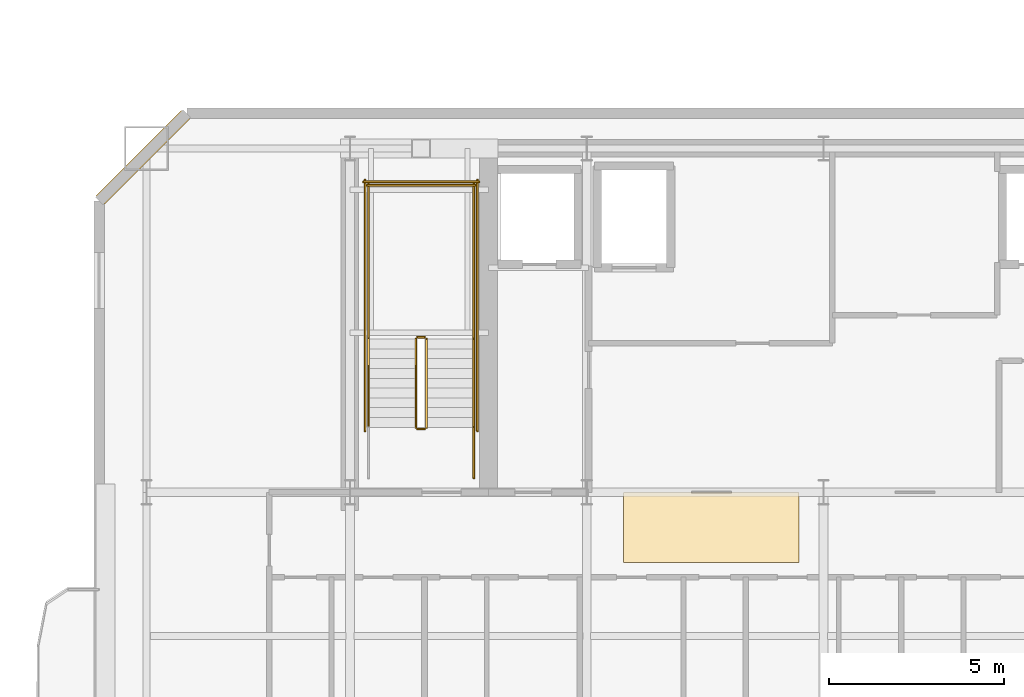
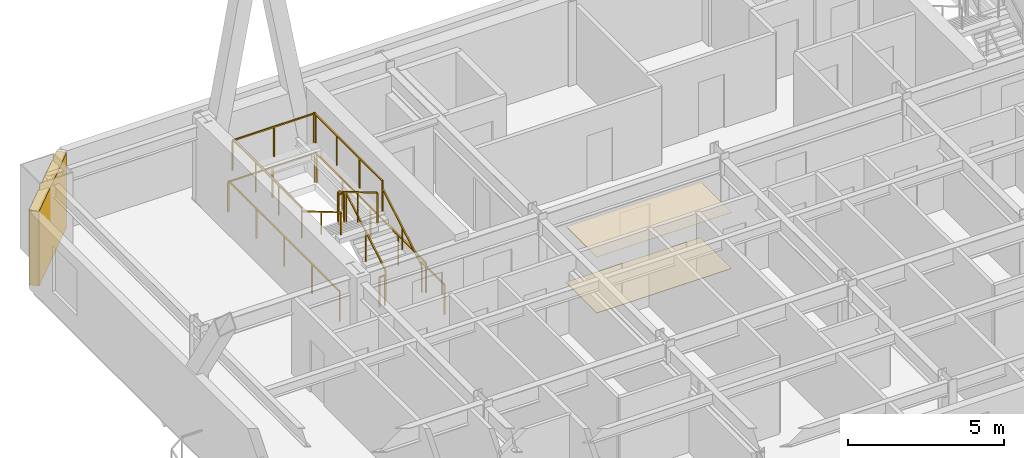
# One storey, part 17 of 20: 13 railings, 2 coverings, 1 shading device.
"""IFC4 building model written with IfcOpenShell, lengths in metres."""

from ifc_helpers import new_model, si_unit, direction, frame, origin, origin_2d, place, context, subcontext, project, spatial, polyline, rectangle, outline, extrude, material, layer, layer_set, type_object, element, save


model = new_model("IFC4")

# Units and contexts
model_context = context("Model", 3, precision=1e-05, world=origin(), true_north=direction((0.0, 1.0)))
body_context = subcontext(model_context, "Body", "Model", "MODEL_VIEW")
ifc_project = project(units=[si_unit("LENGTHUNIT", "METRE"), si_unit("AREAUNIT", "SQUARE_METRE"), si_unit("VOLUMEUNIT", "CUBIC_METRE"), si_unit("PLANEANGLEUNIT", "RADIAN"), si_unit("MASSUNIT", "GRAM", prefix="KILO")], contexts=[model_context])

# Site, building, storey
site_placement = place(None, origin())
site = spatial("IfcSite", under=ifc_project, at=site_placement, CompositionType="ELEMENT")
building_placement = place(site_placement, origin())
building = spatial("IfcBuilding", under=site, at=building_placement, Name="Haevon Station Towers", CompositionType="ELEMENT")
storey_placement = place(building_placement, frame((0.0, 0.0, 175.800048828125)))
storey = spatial("IfcBuildingStorey", under=building, at=storey_placement, Name="L48", CompositionType="ELEMENT", Elevation=175.800048828125)

# Coverings
ifc_material_1 = material(Name="Gypsum acoustic ceiling tile", Category="concrete")
ifc_layer_1 = layer(ifc_material_1, 0.014892578125)
ifc_layer_set_1 = layer_set([ifc_layer_1], Name="Gypsum acoustic ceiling tile")
covering_type_1 = type_object("IfcCoveringType", Name="COV-CEIL15", PredefinedType="CEILING", material=ifc_layer_set_1)
covering_1_placement = place(storey_placement, frame((0.0, 0.0, 2.199951171875)))
element("IfcCovering", 1, at=covering_1_placement, inside=storey, type_object=covering_type_1, Name="L48 Acoustic Corridor Ceiling", PredefinedType="CEILING", context=body_context, shape_type="SweptSolid", body=[
    extrude(outline(polyline([(31.800048828125, 36.199951171875), (36.800048828125, 36.199951171875), (36.800048828125, 38.199951171875), (31.800048828125, 38.199951171875), (31.800048828125, 36.199951171875)])), origin(), (0.0, 0.0, 1.0), 0.014892578125),
])
ifc_material_2 = material(Name="Granite stone paving", Category="masonry")
ifc_layer_2 = layer(ifc_material_2, 0.02001953125)
ifc_layer_set_2 = layer_set([ifc_layer_2], Name="Granite stone paving")
covering_type_2 = type_object("IfcCoveringType", Name="COV-FLR20", PredefinedType="FLOORING", material=ifc_layer_set_2)
covering_2_placement = place(storey_placement, origin())
element("IfcCovering", 2, at=covering_2_placement, inside=storey, type_object=covering_type_2, Name="L48 Corridor Stone Flooring", PredefinedType="FLOORING", context=body_context, shape_type="SweptSolid", body=[
    extrude(outline(polyline([(31.800048828125, 36.199951171875), (36.800048828125, 36.199951171875), (36.800048828125, 38.199951171875), (31.800048828125, 38.199951171875), (31.800048828125, 36.199951171875)])), origin(), (0.0, 0.0, 1.0), 0.02001953125),
])

# Railings
ifc_material_3 = material(Name="Steel S355", Category="steel")
railing_type_1 = type_object("IfcRailingType", Name="GRD-STR1200", PredefinedType="GUARDRAIL", material=ifc_material_3)
railing_1_placement = place(storey_placement, frame((26.179931640625, 40.050048828125, 0.1650390625)))
element("IfcRailing", 3, at=railing_1_placement, inside=storey, type_object=railing_type_1, Name="L48 ST1 Stair Guard 1", PredefinedType="GUARDRAIL", context=body_context, shape_type="SweptSolid", body=[
    extrude(rectangle(XDim=0.048095703125, YDim=0.048095703125, at=origin_2d()), frame((0.0, 0.0, 1.17578125), z_axis=(0.0, 0.861560626758, 0.507654692109), x_axis=(-1.0, 0.0, 0.0)), (0.0, 0.0, 1.0), 2.925048828125),
    extrude(rectangle(XDim=0.0419921875, YDim=0.0419921875, at=origin_2d()), origin(), (0.0, 0.0, 1.0), 1.15185546875),
    extrude(rectangle(XDim=0.0419921875, YDim=0.0419921875, at=origin_2d()), frame((0.0, 1.260009765625, 0.742431640625)), (0.0, 0.0, 1.0), 1.15185546875),
    extrude(rectangle(XDim=0.0419921875, YDim=0.0419921875, at=origin_2d()), frame((0.0, 2.52001953125, 1.48486328125)), (0.0, 0.0, 1.0), 1.15185546875),
])
railing_2_placement = place(storey_placement, frame((26.1298828125, 42.6201171875, 1.64990234375)))
element("IfcRailing", 4, at=railing_2_placement, inside=storey, type_object=railing_type_1, Name="L48 ST1 Stair Guard 2", PredefinedType="GUARDRAIL", context=body_context, shape_type="SweptSolid", body=[
    extrude(rectangle(XDim=0.048095703125, YDim=0.048095703125, at=origin_2d()), frame((0.0, 0.0, 1.17578125), z_axis=(-1.0, 0.0, 0.0), x_axis=(0.0, -1.0, 0.0)), (0.0, 0.0, 1.0), 0.199951171875),
    extrude(rectangle(XDim=0.0419921875, YDim=0.0419921875, at=origin_2d()), origin(), (0.0, 0.0, 1.0), 1.15185546875),
    extrude(rectangle(XDim=0.0419921875, YDim=0.0419921875, at=origin_2d()), frame((-0.199951171875, 0.0, 0.0)), (0.0, 0.0, 1.0), 1.15185546875),
])
for number, where, name in (
    (5, (27.530029296875, 42.570068359375, 1.64990234375), "L48 ST1 Stair Guard 3"),
    (6, (24.530029296875, 42.570068359375, 1.64990234375), "L48 ST1 Stair Guard 4"),
):
    element("IfcRailing", number, at=place(storey_placement, frame(where)), inside=storey, type_object=railing_type_1, Name=name, PredefinedType="GUARDRAIL", context=body_context, shape_type="SweptSolid", body=[
        extrude(rectangle(XDim=0.048095703125, YDim=0.048095703125, at=origin_2d()), frame((0.0, 0.0, 1.17578125), z_axis=(0.0, 1.0, 0.0), x_axis=(-1.0, 0.0, 0.0)), (0.0, 0.0, 1.0), 4.429931640625),
        extrude(rectangle(XDim=0.0419921875, YDim=0.0419921875, at=origin_2d()), origin(), (0.0, 0.0, 1.0), 1.15185546875),
        extrude(rectangle(XDim=0.0419921875, YDim=0.0419921875, at=origin_2d()), frame((0.0, 1.4765625, 0.0)), (0.0, 0.0, 1.0), 1.15185546875),
        extrude(rectangle(XDim=0.0419921875, YDim=0.0419921875, at=origin_2d()), frame((0.0, 2.953369140625, 0.0)), (0.0, 0.0, 1.0), 1.15185546875),
        extrude(rectangle(XDim=0.0419921875, YDim=0.0419921875, at=origin_2d()), frame((0.0, 4.429931640625, 0.0)), (0.0, 0.0, 1.0), 1.15185546875),
    ])
railing_3_placement = place(storey_placement, frame((27.580078125, 46.949951171875, 1.64990234375)))
element("IfcRailing", 7, at=railing_3_placement, inside=storey, type_object=railing_type_1, Name="L48 ST1 Stair Guard 5", PredefinedType="GUARDRAIL", context=body_context, shape_type="SweptSolid", body=[
    extrude(rectangle(XDim=0.048095703125, YDim=0.048095703125, at=origin_2d()), frame((0.0, 0.0, 1.17578125), z_axis=(-1.0, 0.0, 0.0), x_axis=(0.0, -1.0, 0.0)), (0.0, 0.0, 1.0), 3.10009765625),
    extrude(rectangle(XDim=0.0419921875, YDim=0.0419921875, at=origin_2d()), origin(), (0.0, 0.0, 1.0), 1.15185546875),
    extrude(rectangle(XDim=0.0419921875, YDim=0.0419921875, at=origin_2d()), frame((-1.550048828125, 0.0, 0.0)), (0.0, 0.0, 1.0), 1.15185546875),
    extrude(rectangle(XDim=0.0419921875, YDim=0.0419921875, at=origin_2d()), frame((-3.10009765625, 0.0, 0.0)), (0.0, 0.0, 1.0), 1.15185546875),
])
railing_4_placement = place(storey_placement, frame((25.8798828125, 42.570068359375, 1.81494140625)))
element("IfcRailing", 8, at=railing_4_placement, inside=storey, type_object=railing_type_1, Name="L48 ST1 Stair Guard 6", PredefinedType="GUARDRAIL", context=body_context, shape_type="SweptSolid", body=[
    extrude(rectangle(XDim=0.048095703125, YDim=0.048095703125, at=origin_2d()), frame((0.0, 0.0, 1.17578125), z_axis=(0.0, -0.86152411907, 0.507716645641), x_axis=(1.0, 0.0, 0.0)), (0.0, 0.0, 1.0), 2.925048828125),
    extrude(rectangle(XDim=0.0419921875, YDim=0.0419921875, at=origin_2d()), origin(), (0.0, 0.0, 1.0), 1.15185546875),
    extrude(rectangle(XDim=0.0419921875, YDim=0.0419921875, at=origin_2d()), frame((0.0, -1.260009765625, 0.74267578125)), (0.0, 0.0, 1.0), 1.15185546875),
    extrude(rectangle(XDim=0.0419921875, YDim=0.0419921875, at=origin_2d()), frame((0.0, -2.52001953125, 1.485107421875)), (0.0, 0.0, 1.0), 1.15185546875),
])
railing_5_placement = place(storey_placement, frame((26.1298828125, 40.0, 0.0)))
element("IfcRailing", 9, at=railing_5_placement, inside=storey, type_object=railing_type_1, Name="L48 ST1 Stair Guard 7", PredefinedType="GUARDRAIL", context=body_context, shape_type="SweptSolid", body=[
    extrude(rectangle(XDim=0.048095703125, YDim=0.048095703125, at=origin_2d()), frame((0.0, 0.0, 1.17578125), z_axis=(-1.0, 0.0, 0.0), x_axis=(0.0, -1.0, 0.0)), (0.0, 0.0, 1.0), 0.199951171875),
    extrude(rectangle(XDim=0.0419921875, YDim=0.0419921875, at=origin_2d()), origin(), (0.0, 0.0, 1.0), 1.15185546875),
    extrude(rectangle(XDim=0.0419921875, YDim=0.0419921875, at=origin_2d()), frame((-0.199951171875, 0.0, 0.0)), (0.0, 0.0, 1.0), 1.15185546875),
])
railing_6_placement = place(storey_placement, frame((27.530029296875, 38.60009765625, 0.0)))
element("IfcRailing", 10, at=railing_6_placement, inside=storey, type_object=railing_type_1, Name="L48 ST1 Stair Guard 8", PredefinedType="GUARDRAIL", context=body_context, shape_type="SweptSolid", body=[
    extrude(rectangle(XDim=0.048095703125, YDim=0.048095703125, at=origin_2d()), frame((0.0, 0.0, 1.17578125), z_axis=(0.0, 1.0, 0.0), x_axis=(-1.0, 0.0, 0.0)), (0.0, 0.0, 1.0), 1.449951171875),
    extrude(rectangle(XDim=0.0419921875, YDim=0.0419921875, at=origin_2d()), origin(), (0.0, 0.0, 1.0), 1.15185546875),
    extrude(rectangle(XDim=0.0419921875, YDim=0.0419921875, at=origin_2d()), frame((0.0, 1.449951171875, 0.0)), (0.0, 0.0, 1.0), 1.15185546875),
])
for number, where, name in (
    (11, (27.6298828125, 39.949951171875, 0.0), "L48 ST1 Stair Guard 10"),
    (12, (24.429931640625, 39.949951171875, 0.0), "L48 ST1 Stair Guard 11"),
):
    element("IfcRailing", number, at=place(storey_placement, frame(where)), inside=storey, type_object=railing_type_1, Name=name, PredefinedType="GUARDRAIL", context=body_context, shape_type="SweptSolid", body=[
        extrude(rectangle(XDim=0.048095703125, YDim=0.048095703125, at=origin_2d()), frame((0.0, 0.0, 1.17578125), z_axis=(0.0, 1.0, 0.0), x_axis=(-1.0, 0.0, 0.0)), (0.0, 0.0, 1.0), 7.150146484375),
        extrude(rectangle(XDim=0.0419921875, YDim=0.0419921875, at=origin_2d()), origin(), (0.0, 0.0, 1.0), 1.15185546875),
        extrude(rectangle(XDim=0.0419921875, YDim=0.0419921875, at=origin_2d()), frame((0.0, 1.78759765625, 0.0)), (0.0, 0.0, 1.0), 1.15185546875),
        extrude(rectangle(XDim=0.0419921875, YDim=0.0419921875, at=origin_2d()), frame((0.0, 3.5751953125, 0.0)), (0.0, 0.0, 1.0), 1.15185546875),
        extrude(rectangle(XDim=0.0419921875, YDim=0.0419921875, at=origin_2d()), frame((0.0, 5.362548828125, 0.0)), (0.0, 0.0, 1.0), 1.15185546875),
        extrude(rectangle(XDim=0.0419921875, YDim=0.0419921875, at=origin_2d()), frame((0.0, 7.150146484375, 0.0)), (0.0, 0.0, 1.0), 1.15185546875),
    ])
railing_7_placement = place(storey_placement, frame((27.679931640625, 47.050048828125, 0.0)))
element("IfcRailing", 13, at=railing_7_placement, inside=storey, type_object=railing_type_1, Name="L48 ST1 Stair Guard 12", PredefinedType="GUARDRAIL", context=body_context, shape_type="SweptSolid", body=[
    extrude(rectangle(XDim=0.048095703125, YDim=0.048095703125, at=origin_2d()), frame((0.0, 0.0, 1.17578125), z_axis=(-1.0, 0.0, 0.0), x_axis=(0.0, -1.0, 0.0)), (0.0, 0.0, 1.0), 3.300048828125),
    extrude(rectangle(XDim=0.0419921875, YDim=0.0419921875, at=origin_2d()), origin(), (0.0, 0.0, 1.0), 1.15185546875),
    extrude(rectangle(XDim=0.0419921875, YDim=0.0419921875, at=origin_2d()), frame((-1.64990234375, 0.0, 0.0)), (0.0, 0.0, 1.0), 1.15185546875),
    extrude(rectangle(XDim=0.0419921875, YDim=0.0419921875, at=origin_2d()), frame((-3.300048828125, 0.0, 0.0)), (0.0, 0.0, 1.0), 1.15185546875),
])
railing_type_2 = type_object("IfcRailingType", Name="HND-STR900", PredefinedType="HANDRAIL", material=ifc_material_3)
railing_8_placement = place(storey_placement, frame((27.530029296875, 40.050048828125, 0.1650390625)))
element("IfcRailing", 14, at=railing_8_placement, inside=storey, type_object=railing_type_2, Name="L48 ST1 Stair Handrail 1", PredefinedType="HANDRAIL", context=body_context, shape_type="SweptSolid", body=[
    extrude(rectangle(XDim=0.048095703125, YDim=0.048095703125, at=origin_2d()), frame((0.0, 0.0, 0.8759765625), z_axis=(0.0, 0.861560626758, 0.507654692109), x_axis=(-1.0, 0.0, 0.0)), (0.0, 0.0, 1.0), 2.925048828125),
    extrude(rectangle(XDim=0.0419921875, YDim=0.0419921875, at=origin_2d()), origin(), (0.0, 0.0, 1.0), 0.851806640625),
    extrude(rectangle(XDim=0.0419921875, YDim=0.0419921875, at=origin_2d()), frame((0.0, 1.260009765625, 0.742431640625)), (0.0, 0.0, 1.0), 0.851806640625),
    extrude(rectangle(XDim=0.0419921875, YDim=0.0419921875, at=origin_2d()), frame((0.0, 2.52001953125, 1.48486328125)), (0.0, 0.0, 1.0), 0.851806640625),
])
railing_9_placement = place(storey_placement, frame((24.530029296875, 42.570068359375, 1.81494140625)))
element("IfcRailing", 15, at=railing_9_placement, inside=storey, type_object=railing_type_2, Name="L48 ST1 Stair Handrail 2", PredefinedType="HANDRAIL", context=body_context, shape_type="SweptSolid", body=[
    extrude(rectangle(XDim=0.048095703125, YDim=0.048095703125, at=origin_2d()), frame((0.0, 0.0, 0.8759765625), z_axis=(0.0, -0.86152411907, 0.507716645641), x_axis=(1.0, 0.0, 0.0)), (0.0, 0.0, 1.0), 2.925048828125),
    extrude(rectangle(XDim=0.0419921875, YDim=0.0419921875, at=origin_2d()), origin(), (0.0, 0.0, 1.0), 0.851806640625),
    extrude(rectangle(XDim=0.0419921875, YDim=0.0419921875, at=origin_2d()), frame((0.0, -1.260009765625, 0.74267578125)), (0.0, 0.0, 1.0), 0.851806640625),
    extrude(rectangle(XDim=0.0419921875, YDim=0.0419921875, at=origin_2d()), frame((0.0, -2.52001953125, 1.485107421875)), (0.0, 0.0, 1.0), 0.851806640625),
])

# Shading device
ifc_material_4 = material(Name="Anodised aluminium 6063-T6", Category="aluminium")
ifc_layer_3 = layer(ifc_material_4, 0.139892578125)
ifc_layer_set_3 = layer_set([ifc_layer_3], Name="Anodised aluminium 6063-T6")
shading_device_type = type_object("IfcShadingDeviceType", Name="SHD-WIND-BAFFLE", PredefinedType="SHUTTER", material=ifc_layer_set_3)
shading_device_placement = place(storey_placement, frame((18.10009765625, 47.75, 0.0498046875), z_axis=(0.0, 0.0, 1.0), x_axis=(0.707106781187, 0.707106781187, 0.0)))
element("IfcShadingDevice", 16, at=shading_device_placement, inside=storey, type_object=shading_device_type, Name="Tower 1 L48 Wind-Corner Aerofoil Baffle NWC", PredefinedType="SHUTTER", context=body_context, shape_type="SweptSolid", body=[
    extrude(rectangle(XDim=3.435546875, YDim=0.340087890625, at=origin_2d()), origin(), (0.0, 0.0, 1.0), 2.929931640625),
])

save(model, "model.ifc")
